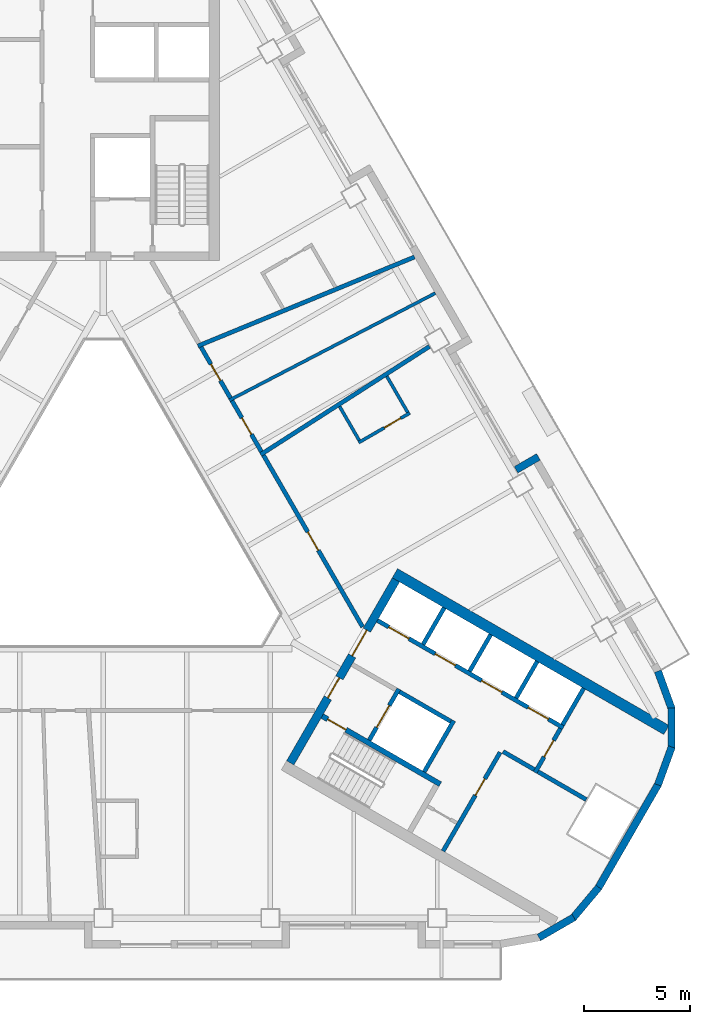
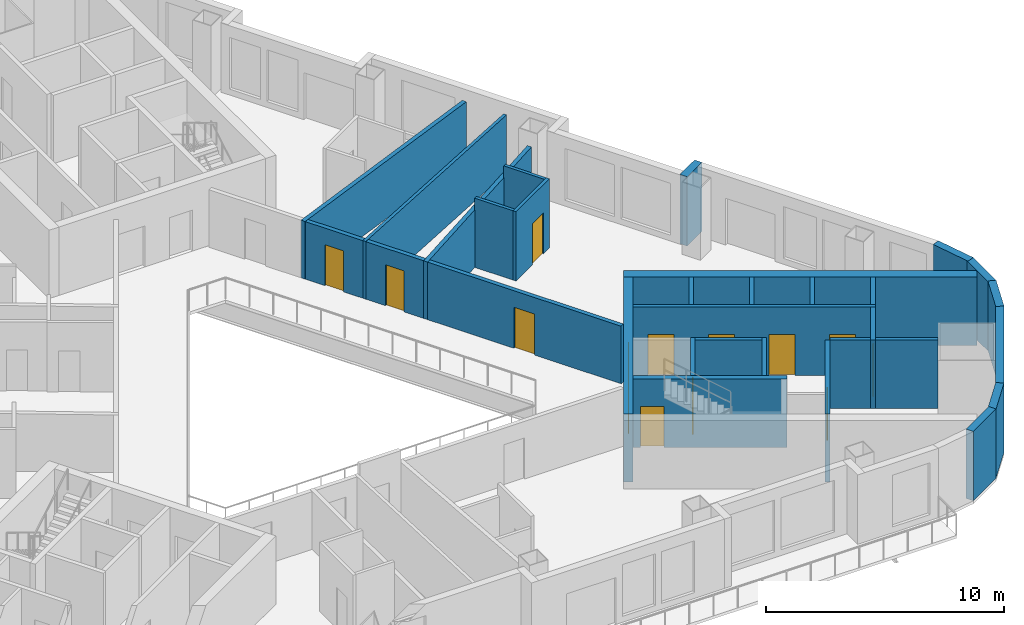
# One storey, part 5 of 13: 31 walls, 14 doors, 14 openings.
"""IFC4 building model written with IfcOpenShell, lengths in metres."""

from ifc_helpers import new_model, si_unit, direction, frame, frame_2d, origin, place, context, subcontext, project, spatial, rectangle, extrude, material, layer, layer_set, type_object, element, fill, save


model = new_model("IFC4")

# Units and contexts
model_context = context("Model", 3, precision=1e-05, world=origin(), true_north=direction((0.0, 1.0)))
body_context = subcontext(model_context, "Body", "Model", "MODEL_VIEW")
ifc_project = project(units=[si_unit("LENGTHUNIT", "METRE"), si_unit("AREAUNIT", "SQUARE_METRE"), si_unit("VOLUMEUNIT", "CUBIC_METRE"), si_unit("PLANEANGLEUNIT", "RADIAN"), si_unit("MASSUNIT", "GRAM", prefix="KILO")], contexts=[model_context])

# Site, building, storey
site_placement = place(None, origin())
site = spatial("IfcSite", under=ifc_project, at=site_placement, CompositionType="ELEMENT")
building_placement = place(site_placement, origin())
building = spatial("IfcBuilding", under=site, at=building_placement, Name="Apuvela Tower Hotel", CompositionType="ELEMENT")
storey_placement = place(building_placement, frame((0.0, 0.0, 102.0)))
storey = spatial("IfcBuildingStorey", under=building, at=storey_placement, Name="L23", CompositionType="ELEMENT", Elevation=102.0)

# Wall, openings, doors
ifc_material_1 = material(Name="Concrete C50/60", Category="concrete")
ifc_layer_1 = layer(ifc_material_1, 0.39990234375)
ifc_layer_set_1 = layer_set([ifc_layer_1], Name="COR-WALL-CORE-400")
wall_type_1 = type_object("IfcWallType", Name="COR-WALL-CORE-400", PredefinedType="SHEAR", material=ifc_layer_set_1)
wall_1_placement = place(storey_placement, frame((8.844970703125, -10.880126953125, 0.0), z_axis=(0.0, 0.0, 1.0), x_axis=(0.500004234368, 0.866022959057, 0.0)))
wall_1 = element("IfcWall", 1, at=wall_1_placement, inside=storey, type_object=wall_type_1, Name="Core wall SE", PredefinedType="SHEAR", context=body_context, shape_type="SweptSolid", body=[
    extrude(rectangle(XDim=10.0, YDim=0.39990234375, at=frame_2d((5.0, 0.0))), origin(), (0.0, 0.0, 1.0), 3.5),
])
opening_1_placement = place(wall_1_placement, frame((3.550048828125, 0.0, 0.0)))
opening_1 = element("IfcOpeningElement", 2, at=opening_1_placement, cuts=wall_1, Name="Opening E-FD", PredefinedType="OPENING", context=body_context, shape_type="SweptSolid", body=[
    extrude(rectangle(XDim=1.10009765625, YDim=2.10009765625, at=frame_2d((0.550048828125, 1.050048828125))), frame((0.0, 0.2099609375, 0.0), z_axis=(0.0, -1.0, 0.0), x_axis=(1.0, 0.0, 0.0)), (0.0, 0.0, 1.0), 0.419921875),
])
opening_2_placement = place(wall_1_placement, frame((5.85009765625, 0.0, 0.0)))
opening_2 = element("IfcOpeningElement", 3, at=opening_2_placement, cuts=wall_1, Name="Opening E-GD", PredefinedType="OPENING", context=body_context, shape_type="SweptSolid", body=[
    extrude(rectangle(XDim=1.39990234375, YDim=2.10009765625, at=frame_2d((0.699951171875, 1.050048828125))), frame((0.0, 0.2099609375, 0.0), z_axis=(0.0, -1.0, 0.0), x_axis=(1.0, 0.0, 0.0)), (0.0, 0.0, 1.0), 0.419921875),
])
ifc_material_2 = material(Name="Steel fire door, powder coated", Category="steel")
door_type_1 = type_object("IfcDoorType", Name="COR-FD-1100", OperationType="NOTDEFINED", PredefinedType="DOOR", material=ifc_material_2)
door_1_placement = place(opening_1_placement, frame((1.10009765625, 0.0, 0.0), z_axis=(0.0, 0.0, 1.0), x_axis=(-1.0, 0.0, 0.0)))
door_1 = element("IfcDoor", 4, at=door_1_placement, inside=storey, type_object=door_type_1, Name="Firefighting lobby door E-FD", OperationType="SINGLE_SWING_LEFT", OverallHeight=2.10009765625, OverallWidth=1.10009765625, PredefinedType="DOOR", context=body_context, shape_type="SweptSolid", body=[
    extrude(rectangle(XDim=1.10009765625, YDim=2.10009765625, at=frame_2d((0.550048828125, 1.050048828125))), frame((0.0, 0.02490234375, 0.0), z_axis=(0.0, -1.0, 0.0), x_axis=(1.0, 0.0, 0.0)), (0.0, 0.0, 1.0), 0.050048828125),
])
fill(opening_1, door_1)
ifc_material_3 = material(Name="Glazed steel fire door", Category="steel")
door_type_2 = type_object("IfcDoorType", Name="COR-GD-1400", OperationType="DOUBLE_DOOR_SINGLE_SWING", PredefinedType="DOOR", material=ifc_material_3)
door_2_placement = place(opening_2_placement, frame((1.39990234375, 0.0, 0.0), z_axis=(0.0, 0.0, 1.0), x_axis=(-1.0, 0.0, 0.0)))
door_2 = element("IfcDoor", 5, at=door_2_placement, inside=storey, type_object=door_type_2, Name="Lift lobby door E-GD", OperationType="DOUBLE_DOOR_SINGLE_SWING", OverallHeight=2.10009765625, OverallWidth=1.39990234375, PredefinedType="DOOR", context=body_context, shape_type="SweptSolid", body=[
    extrude(rectangle(XDim=1.39990234375, YDim=2.10009765625, at=frame_2d((0.699951171875, 1.050048828125))), frame((0.0, 0.02490234375, 0.0), z_axis=(0.0, -1.0, 0.0), x_axis=(1.0, 0.0, 0.0)), (0.0, 0.0, 1.0), 0.050048828125),
])
fill(opening_2, door_2)

# Wall
ifc_layer_2 = layer(ifc_material_1, 0.5)
ifc_layer_set_2 = layer_set([ifc_layer_2], Name="COR-WALL-CORE-500")
wall_type_2 = type_object("IfcWallType", Name="COR-WALL-CORE-500", PredefinedType="SHEAR", material=ifc_layer_set_2)
wall_2_placement = place(storey_placement, frame((13.796630859375, -1.9033203125, 0.0), z_axis=(0.0, 0.0, 1.0), x_axis=(0.866025009528, -0.500000682871, 0.0)))
element("IfcWall", 6, at=wall_2_placement, inside=storey, type_object=wall_type_2, Name="Core wall SE", PredefinedType="SHEAR", context=body_context, shape_type="SweptSolid", body=[
    extrude(rectangle(XDim=14.8369140625, YDim=0.5, at=frame_2d((7.41845703125, 0.0))), origin(), (0.0, 0.0, 1.0), 3.5),
])

# Wall, opening, door
ifc_material_4 = material(Name="Blockwork 200 mm plastered", Category="masonry")
ifc_layer_3 = layer(ifc_material_4, 0.199951171875)
ifc_layer_set_3 = layer_set([ifc_layer_3], Name="COR-WALL-PART-200")
wall_type_3 = type_object("IfcWallType", Name="COR-WALL-PART-200", PredefinedType="PARTITIONING", material=ifc_layer_set_3)
wall_3_placement = place(storey_placement, frame((16.076171875, -15.05517578125, 0.0), z_axis=(0.0, 0.0, 1.0), x_axis=(0.499995103361, 0.866028230842, 0.0)))
wall_3 = element("IfcWall", 7, at=wall_3_placement, inside=storey, type_object=wall_type_3, Name="Partition SE", PredefinedType="PARTITIONING", context=body_context, shape_type="SweptSolid", body=[
    extrude(rectangle(XDim=5.39990234375, YDim=0.199951171875, at=frame_2d((2.699951171875, 0.0))), origin(), (0.0, 0.0, 1.0), 3.5),
])
opening_3_placement = place(wall_3_placement, frame((3.050048828125, 0.0, 0.0)))
opening_3 = element("IfcOpeningElement", 8, at=opening_3_placement, cuts=wall_3, Name="Opening E-RS1", PredefinedType="OPENING", context=body_context, shape_type="SweptSolid", body=[
    extrude(rectangle(XDim=0.89990234375, YDim=2.10009765625, at=frame_2d((0.449951171875, 1.050048828125))), frame((0.0, 0.10986328125, 0.0), z_axis=(0.0, -1.0, 0.0), x_axis=(1.0, 0.0, 0.0)), (0.0, 0.0, 1.0), 0.219970703125),
])
door_type_3 = type_object("IfcDoorType", Name="COR-DR-900", OperationType="NOTDEFINED", PredefinedType="DOOR", material=ifc_material_2)
door_3_placement = place(opening_3_placement, frame((0.89990234375, 0.0, 0.0), z_axis=(0.0, 0.0, 1.0), x_axis=(-1.0, 0.0, 0.0)))
door_3 = element("IfcDoor", 9, at=door_3_placement, inside=storey, type_object=door_type_3, Name="Store door E-RS1", OperationType="SINGLE_SWING_LEFT", OverallHeight=2.10009765625, OverallWidth=0.89990234375, PredefinedType="DOOR", context=body_context, shape_type="SweptSolid", body=[
    extrude(rectangle(XDim=0.89990234375, YDim=2.10009765625, at=frame_2d((0.449951171875, 1.050048828125))), frame((0.0, 0.02490234375, 0.0), z_axis=(0.0, -1.0, 0.0), x_axis=(1.0, 0.0, 0.0)), (0.0, 0.0, 1.0), 0.050048828125),
])
fill(opening_3, door_3)

# Wall
ifc_layer_4 = layer(ifc_material_1, 0.199951171875)
ifc_layer_set_4 = layer_set([ifc_layer_4], Name="COR-WALL-SHAFT-200")
wall_type_4 = type_object("IfcWallType", Name="COR-WALL-SHAFT-200", PredefinedType="SHEAR", material=ifc_layer_set_4)
wall_4_placement = place(storey_placement, frame((15.181396484375, -11.305419921875, 0.0), z_axis=(0.0, 0.0, 1.0), x_axis=(0.49994636267, 0.866056369097, 0.0)))
element("IfcWall", 10, at=wall_4_placement, inside=storey, type_object=wall_type_4, Name="Shaft wall SE", PredefinedType="SHEAR", context=body_context, shape_type="SweptSolid", body=[
    extrude(rectangle(XDim=2.800048828125, YDim=0.199951171875, at=frame_2d((1.39990234375, 0.0))), origin(), (0.0, 0.0, 1.0), 3.5),
])

# Wall, opening, door
wall_5_placement = place(storey_placement, frame((12.583251953125, -9.805419921875, 0.0), z_axis=(0.0, 0.0, 1.0), x_axis=(0.49994636267, 0.866056369097, 0.0)))
wall_5 = element("IfcWall", 11, at=wall_5_placement, inside=storey, type_object=wall_type_4, Name="Shaft wall SE", PredefinedType="SHEAR", context=body_context, shape_type="SweptSolid", body=[
    extrude(rectangle(XDim=2.800048828125, YDim=0.199951171875, at=frame_2d((1.39990234375, 0.0))), origin(), (0.0, 0.0, 1.0), 3.5),
])
opening_4_placement = place(wall_5_placement, frame((0.699951171875, 0.0, 0.0)))
opening_4 = element("IfcOpeningElement", 12, at=opening_4_placement, cuts=wall_5, Name="Opening E-LD-FS3", PredefinedType="OPENING", context=body_context, shape_type="SweptSolid", body=[
    extrude(rectangle(XDim=1.199951171875, YDim=2.10009765625, at=frame_2d((0.60009765625, 1.050048828125))), frame((0.0, 0.10986328125, 0.0), z_axis=(0.0, -1.0, 0.0), x_axis=(1.0, 0.0, 0.0)), (0.0, 0.0, 1.0), 0.219970703125),
])
ifc_material_5 = material(Name="Stainless steel lift landing door", Category="steel")
door_type_4 = type_object("IfcDoorType", Name="COR-LD-1200", OperationType="DOUBLE_DOOR_SLIDING", PredefinedType="DOOR", material=ifc_material_5)
door_4_placement = place(opening_4_placement, origin())
door_4 = element("IfcDoor", 13, at=door_4_placement, inside=storey, type_object=door_type_4, Name="Lift landing door E-LD-FS3", OperationType="DOUBLE_DOOR_SLIDING", OverallHeight=2.10009765625, OverallWidth=1.199951171875, PredefinedType="DOOR", context=body_context, shape_type="SweptSolid", body=[
    extrude(rectangle(XDim=1.199951171875, YDim=2.10009765625, at=frame_2d((0.60009765625, 1.050048828125))), frame((0.0, 0.02490234375, 0.0), z_axis=(0.0, -1.0, 0.0), x_axis=(1.0, 0.0, 0.0)), (0.0, 0.0, 1.0), 0.050048828125),
])
fill(opening_4, door_4)

# Wall
wall_6_placement = place(storey_placement, frame((14.019775390625, -7.51708984375, 0.0), z_axis=(0.0, 0.0, 1.0), x_axis=(0.866034573852, -0.49998411664, 0.0)))
element("IfcWall", 14, at=wall_6_placement, inside=storey, type_object=wall_type_4, Name="Shaft wall SE", PredefinedType="SHEAR", context=body_context, shape_type="SweptSolid", body=[
    extrude(rectangle(XDim=2.7998046875, YDim=0.199951171875, at=frame_2d((1.39990234375, 0.0))), origin(), (0.0, 0.0, 1.0), 3.5),
])

# Wall, openings, doors
wall_7_placement = place(storey_placement, frame((12.968017578125, -4.138427734375, 0.0), z_axis=(0.0, 0.0, 1.0), x_axis=(0.866028328073, -0.49999493495, 0.0)))
wall_7 = element("IfcWall", 15, at=wall_7_placement, inside=storey, type_object=wall_type_4, Name="Shaft wall SE", PredefinedType="SHEAR", context=body_context, shape_type="SweptSolid", body=[
    extrude(rectangle(XDim=10.16015625, YDim=0.199951171875, at=frame_2d((5.080078125, 0.0))), origin(), (0.0, 0.0, 1.0), 3.5),
])
opening_5_placement = place(wall_7_placement, frame((0.6201171875, 0.0, 0.0)))
opening_5 = element("IfcOpeningElement", 16, at=opening_5_placement, cuts=wall_7, Name="Opening E-LD-LR1", PredefinedType="OPENING", context=body_context, shape_type="SweptSolid", body=[
    extrude(rectangle(XDim=1.10009765625, YDim=2.10009765625, at=frame_2d((0.550048828125, 1.050048828125))), frame((0.0, 0.10986328125, 0.0), z_axis=(0.0, -1.0, 0.0), x_axis=(1.0, 0.0, 0.0)), (0.0, 0.0, 1.0), 0.219970703125),
])
opening_6_placement = place(wall_7_placement, frame((3.159912109375, 0.0, 0.0)))
opening_6 = element("IfcOpeningElement", 17, at=opening_6_placement, cuts=wall_7, Name="Opening E-LD-LR2", PredefinedType="OPENING", context=body_context, shape_type="SweptSolid", body=[
    extrude(rectangle(XDim=1.10009765625, YDim=2.10009765625, at=frame_2d((0.550048828125, 1.050048828125))), frame((0.0, 0.10986328125, 0.0), z_axis=(0.0, -1.0, 0.0), x_axis=(1.0, 0.0, 0.0)), (0.0, 0.0, 1.0), 0.219970703125),
])
opening_7_placement = place(wall_7_placement, frame((5.699951171875, 0.0, 0.0)))
opening_7 = element("IfcOpeningElement", 18, at=opening_7_placement, cuts=wall_7, Name="Opening E-LD-LR3", PredefinedType="OPENING", context=body_context, shape_type="SweptSolid", body=[
    extrude(rectangle(XDim=1.10009765625, YDim=2.10009765625, at=frame_2d((0.550048828125, 1.050048828125))), frame((0.0, 0.10986328125, 0.0), z_axis=(0.0, -1.0, 0.0), x_axis=(1.0, 0.0, 0.0)), (0.0, 0.0, 1.0), 0.219970703125),
])
opening_8_placement = place(wall_7_placement, frame((8.239990234375, 0.0, 0.0)))
opening_8 = element("IfcOpeningElement", 19, at=opening_8_placement, cuts=wall_7, Name="Opening E-LD-LR4", PredefinedType="OPENING", context=body_context, shape_type="SweptSolid", body=[
    extrude(rectangle(XDim=1.10009765625, YDim=2.10009765625, at=frame_2d((0.550048828125, 1.050048828125))), frame((0.0, 0.10986328125, 0.0), z_axis=(0.0, -1.0, 0.0), x_axis=(1.0, 0.0, 0.0)), (0.0, 0.0, 1.0), 0.219970703125),
])
door_type_5 = type_object("IfcDoorType", Name="COR-LD-1100", OperationType="DOUBLE_DOOR_SLIDING", PredefinedType="DOOR", material=ifc_material_5)
door_5_placement = place(opening_5_placement, origin())
door_5 = element("IfcDoor", 20, at=door_5_placement, inside=storey, type_object=door_type_5, Name="Lift landing door E-LD-LR1", OperationType="DOUBLE_DOOR_SLIDING", OverallHeight=2.10009765625, OverallWidth=1.10009765625, PredefinedType="DOOR", context=body_context, shape_type="SweptSolid", body=[
    extrude(rectangle(XDim=1.10009765625, YDim=2.10009765625, at=frame_2d((0.550048828125, 1.050048828125))), frame((0.0, 0.02490234375, 0.0), z_axis=(0.0, -1.0, 0.0), x_axis=(1.0, 0.0, 0.0)), (0.0, 0.0, 1.0), 0.050048828125),
])
fill(opening_5, door_5)
door_6_placement = place(opening_6_placement, origin())
door_6 = element("IfcDoor", 21, at=door_6_placement, inside=storey, type_object=door_type_5, Name="Lift landing door E-LD-LR2", OperationType="DOUBLE_DOOR_SLIDING", OverallHeight=2.10009765625, OverallWidth=1.10009765625, PredefinedType="DOOR", context=body_context, shape_type="SweptSolid", body=[
    extrude(rectangle(XDim=1.10009765625, YDim=2.10009765625, at=frame_2d((0.550048828125, 1.050048828125))), frame((0.0, 0.02490234375, 0.0), z_axis=(0.0, -1.0, 0.0), x_axis=(1.0, 0.0, 0.0)), (0.0, 0.0, 1.0), 0.050048828125),
])
fill(opening_6, door_6)
door_7_placement = place(opening_7_placement, origin())
door_7 = element("IfcDoor", 22, at=door_7_placement, inside=storey, type_object=door_type_5, Name="Lift landing door E-LD-LR3", OperationType="DOUBLE_DOOR_SLIDING", OverallHeight=2.10009765625, OverallWidth=1.10009765625, PredefinedType="DOOR", context=body_context, shape_type="SweptSolid", body=[
    extrude(rectangle(XDim=1.10009765625, YDim=2.10009765625, at=frame_2d((0.550048828125, 1.050048828125))), frame((0.0, 0.02490234375, 0.0), z_axis=(0.0, -1.0, 0.0), x_axis=(1.0, 0.0, 0.0)), (0.0, 0.0, 1.0), 0.050048828125),
])
fill(opening_7, door_7)
door_8_placement = place(opening_8_placement, origin())
door_8 = element("IfcDoor", 23, at=door_8_placement, inside=storey, type_object=door_type_5, Name="Lift landing door E-LD-LR4", OperationType="DOUBLE_DOOR_SLIDING", OverallHeight=2.10009765625, OverallWidth=1.10009765625, PredefinedType="DOOR", context=body_context, shape_type="SweptSolid", body=[
    extrude(rectangle(XDim=1.10009765625, YDim=2.10009765625, at=frame_2d((0.550048828125, 1.050048828125))), frame((0.0, 0.02490234375, 0.0), z_axis=(0.0, -1.0, 0.0), x_axis=(1.0, 0.0, 0.0)), (0.0, 0.0, 1.0), 0.050048828125),
])
fill(opening_8, door_8)

# Wall, opening, door
wall_8_placement = place(storey_placement, frame((20.430419921875, -11.33349609375, 0.0), z_axis=(0.0, 0.0, 1.0), x_axis=(0.500001309137, 0.866024647952, 0.0)))
wall_8 = element("IfcWall", 24, at=wall_8_placement, inside=storey, type_object=wall_type_4, Name="Shaft wall SE", PredefinedType="SHEAR", context=body_context, shape_type="SweptSolid", body=[
    extrude(rectangle(XDim=2.39990234375, YDim=0.199951171875, at=frame_2d((1.199951171875, 0.0))), origin(), (0.0, 0.0, 1.0), 3.5),
])
opening_9_placement = place(wall_8_placement, frame((0.85009765625, 0.0, 0.0)))
opening_9 = element("IfcOpeningElement", 25, at=opening_9_placement, cuts=wall_8, Name="Opening E-REP", PredefinedType="OPENING", context=body_context, shape_type="SweptSolid", body=[
    extrude(rectangle(XDim=0.89990234375, YDim=2.10009765625, at=frame_2d((0.449951171875, 1.050048828125))), frame((0.0, 0.10986328125, 0.0), z_axis=(0.0, -1.0, 0.0), x_axis=(1.0, 0.0, 0.0)), (0.0, 0.0, 1.0), 0.219970703125),
])
door_9_placement = place(opening_9_placement, frame((0.89990234375, 0.0, 0.0), z_axis=(0.0, 0.0, 1.0), x_axis=(-1.0, 0.0, 0.0)))
door_9 = element("IfcDoor", 26, at=door_9_placement, inside=storey, type_object=door_type_3, Name="Store door E-REP", OperationType="SINGLE_SWING_RIGHT", OverallHeight=2.10009765625, OverallWidth=0.89990234375, PredefinedType="DOOR", context=body_context, shape_type="SweptSolid", body=[
    extrude(rectangle(XDim=0.89990234375, YDim=2.10009765625, at=frame_2d((0.449951171875, 1.050048828125))), frame((0.0, 0.02490234375, 0.0), z_axis=(0.0, -1.0, 0.0), x_axis=(1.0, 0.0, 0.0)), (0.0, 0.0, 1.0), 0.050048828125),
])
fill(opening_9, door_9)

# Walls
wall_9_placement = place(storey_placement, frame((18.912841796875, -10.342041015625, 0.0), z_axis=(0.0, 0.0, 1.0), x_axis=(0.866038183914, -0.499977863513, 0.0)))
element("IfcWall", 27, at=wall_9_placement, inside=storey, type_object=wall_type_4, Name="Shaft wall SE", PredefinedType="SHEAR", context=body_context, shape_type="SweptSolid", body=[
    extrude(rectangle(XDim=1.7099609375, YDim=0.199951171875, at=frame_2d((0.85498046875, 0.0))), origin(), (0.0, 0.0, 1.0), 3.5),
])
for number, where, z_axis, x_axis, name in (
    (28, (15.131103515625, -5.27197265625, 0.0), (0.0, 0.0, 1.0), (0.499972520799, 0.866041268327, 0.0), "Shaft wall SE"),
    (29, (17.330810546875, -6.5419921875, 0.0), (0.0, 0.0, 1.0), (0.499972520799, 0.866041268327, 0.0), "Shaft wall SE"),
    (30, (19.530517578125, -7.81201171875, 0.0), (0.0, 0.0, 1.0), (0.499972520799, 0.866041268327, 0.0), "Shaft wall SE"),
    (31, (21.73046875, -9.081787109375, 0.0), (0.0, 0.0, 1.0), (0.50002537861, 0.866010750942, 0.0), "Shaft wall SE"),
):
    element("IfcWall", number, at=place(storey_placement, frame(where, z_axis=z_axis, x_axis=x_axis)), inside=storey, type_object=wall_type_4, Name=name, PredefinedType="SHEAR", context=body_context, shape_type="SweptSolid", body=[
        extrude(rectangle(XDim=2.0, YDim=0.199951171875, at=frame_2d((1.0, 0.0))), origin(), (0.0, 0.0, 1.0), 3.5),
    ])
wall_10_placement = place(storey_placement, frame((20.56689453125, -11.297119140625, 0.0), z_axis=(0.0, 0.0, 1.0), x_axis=(0.866060851709, -0.499938597367, 0.0)))
element("IfcWall", 32, at=wall_10_placement, inside=storey, type_object=wall_type_4, Name="Shaft wall SE", PredefinedType="SHEAR", context=body_context, shape_type="SweptSolid", body=[
    extrude(rectangle(XDim=2.639892578125, YDim=0.199951171875, at=frame_2d((1.31982421875, 0.0))), origin(), (0.0, 0.0, 1.0), 3.5),
])

# Wall, opening, door
ifc_layer_5 = layer(ifc_material_1, 0.25)
ifc_layer_set_5 = layer_set([ifc_layer_5], Name="COR-WALL-STAIR-250")
wall_type_5 = type_object("IfcWallType", Name="COR-WALL-STAIR-250", PredefinedType="SHEAR", material=ifc_layer_set_5)
wall_11_placement = place(storey_placement, frame((10.355712890625, -8.66357421875, 0.0), z_axis=(0.0, 0.0, 1.0), x_axis=(0.866028629588, -0.499994412703, 0.0)))
wall_11 = element("IfcWall", 33, at=wall_11_placement, inside=storey, type_object=wall_type_5, Name="Stair wall SE", PredefinedType="SHEAR", context=body_context, shape_type="SweptSolid", body=[
    extrude(rectangle(XDim=6.44970703125, YDim=0.25, at=frame_2d((3.224853515625, 0.0))), origin(), (0.0, 0.0, 1.0), 3.5),
])
opening_10_placement = place(wall_11_placement, frame((0.300048828125, 0.0, 0.0)))
opening_10 = element("IfcOpeningElement", 34, at=opening_10_placement, cuts=wall_11, Name="Opening E-SD", PredefinedType="OPENING", context=body_context, shape_type="SweptSolid", body=[
    extrude(rectangle(XDim=1.0, YDim=2.10009765625, at=frame_2d((0.5, 1.050048828125))), frame((0.0, 0.135009765625, 0.0), z_axis=(0.0, -1.0, 0.0), x_axis=(1.0, 0.0, 0.0)), (0.0, 0.0, 1.0), 0.27001953125),
])
door_type_6 = type_object("IfcDoorType", Name="COR-SD-1000", OperationType="NOTDEFINED", PredefinedType="DOOR", material=ifc_material_2)
door_10_placement = place(opening_10_placement, frame((1.0, 0.0, 0.0), z_axis=(0.0, 0.0, 1.0), x_axis=(-1.0, 0.0, 0.0)))
door_10 = element("IfcDoor", 35, at=door_10_placement, inside=storey, type_object=door_type_6, Name="Stair door E-SD", OperationType="SINGLE_SWING_LEFT", OverallHeight=2.10009765625, OverallWidth=1.0, PredefinedType="DOOR", context=body_context, shape_type="SweptSolid", body=[
    extrude(rectangle(XDim=1.0, YDim=2.10009765625, at=frame_2d((0.5, 1.050048828125))), frame((0.0, 0.02490234375, 0.0), z_axis=(0.0, -1.0, 0.0), x_axis=(1.0, 0.0, 0.0)), (0.0, 0.0, 1.0), 0.050048828125),
])
fill(opening_10, door_10)

# Walls
ifc_material_6 = material(Name="Concrete C40/50, dark pigmented precast panel", Category="concrete")
ifc_layer_6 = layer(ifc_material_6, 0.35009765625)
ifc_layer_set_6 = layer_set([ifc_layer_6], Name="ENV-WALL-350")
wall_type_6 = type_object("IfcWallType", Name="ENV-WALL-350", PredefinedType="SOLIDWALL", material=ifc_layer_set_6)
for number, where, z_axis, x_axis, name in (
    (36, (20.609619140625, -19.146728515625, 0.0), (0.0, 0.0, 1.0), (0.866000389056, 0.500043324278, 0.0), "External wall L23-27"),
    (37, (22.21728515625, -18.230712890625, 0.0), (0.0, 0.0, 1.0), (0.642733291068, 0.76609001857, 0.0), "External wall L23-28"),
):
    element("IfcWall", number, at=place(storey_placement, frame(where, z_axis=z_axis, x_axis=x_axis)), inside=storey, type_object=wall_type_6, Name=name, PredefinedType="SOLIDWALL", context=body_context, shape_type="SweptSolid", body=[
        extrude(rectangle(XDim=1.909912109375, YDim=0.35009765625, at=frame_2d((0.955078125, 0.0))), origin(), (0.0, 0.0, 1.0), 3.550048828125),
    ])
wall_12_placement = place(storey_placement, frame((23.427490234375, -16.79248046875, 0.0), z_axis=(0.0, 0.0, 1.0), x_axis=(0.500018773155, 0.866014564827, 0.0)))
element("IfcWall", 38, at=wall_12_placement, inside=storey, type_object=wall_type_6, Name="External wall L23-29", PredefinedType="SOLIDWALL", context=body_context, shape_type="SweptSolid", body=[
    extrude(rectangle(XDim=5.657958984375, YDim=0.35009765625, at=frame_2d((2.8291015625, 0.0))), origin(), (0.0, 0.0, 1.0), 3.550048828125),
])
for number, where, z_axis, x_axis, name in (
    (39, (26.24365234375, -11.920166015625, 0.0), (0.0, 0.0, 1.0), (0.342030395486, 0.939688889242, 0.0), "External wall L23-30"),
    (40, (26.88623046875, -10.18505859375, 0.0), (0.0, 0.0, 1.0), (0.0, 1.0, 0.0), "External wall L23-31"),
    (41, (26.89697265625, -8.334716796875, 0.0), (0.0, 0.0, 1.0), (-0.342030395486, 0.939688889242, 0.0), "External wall L23-32"),
):
    element("IfcWall", number, at=place(storey_placement, frame(where, z_axis=z_axis, x_axis=x_axis)), inside=storey, type_object=wall_type_6, Name=name, PredefinedType="SOLIDWALL", context=body_context, shape_type="SweptSolid", body=[
        extrude(rectangle(XDim=1.91015625, YDim=0.35009765625, at=frame_2d((0.955078125, 0.0))), origin(), (0.0, 0.0, 1.0), 3.550048828125),
    ])
wall_13_placement = place(storey_placement, frame((20.587646484375, 3.601318359375, 0.0), z_axis=(0.0, 0.0, 1.0), x_axis=(-0.866005645448, -0.500034220881, 0.0)))
element("IfcWall", 42, at=wall_13_placement, inside=storey, type_object=wall_type_6, Name="External wall L23-34", PredefinedType="SOLIDWALL", context=body_context, shape_type="SweptSolid", body=[
    extrude(rectangle(XDim=1.22021484375, YDim=0.35009765625, at=frame_2d((0.610107421875, 0.0))), origin(), (0.0, 0.0, 1.0), 3.550048828125),
])
ifc_material_7 = material(Name="Gypsum board partition on twin steel stud", Category="steel")
ifc_layer_7 = layer(ifc_material_7, 0.199951171875)
ifc_layer_set_7 = layer_set([ifc_layer_7], Name="GST-PW1")
wall_type_7 = type_object("IfcWallType", Name="GST-PW1", PredefinedType="PARTITIONING", material=ifc_layer_set_7)
wall_14_placement = place(storey_placement, frame((15.4326171875, 8.82958984375, 0.0), z_axis=(0.0, 0.0, 1.0), x_axis=(-0.841935777146, -0.539577748949, 0.0)))
element("IfcWall", 43, at=wall_14_placement, inside=storey, type_object=wall_type_7, Name="L23 partition 03", PredefinedType="PARTITIONING", context=body_context, shape_type="SweptSolid", body=[
    extrude(rectangle(XDim=9.489990234375, YDim=0.199951171875, at=frame_2d((4.7451171875, 0.0))), origin(), (0.0, 0.0, 1.0), 2.949951171875),
])
wall_15_placement = place(storey_placement, frame((14.721923828125, 13.060791015625, 0.0), z_axis=(0.0, 0.0, 1.0), x_axis=(-0.9249494111, -0.380090235214, 0.0)))
element("IfcWall", 44, at=wall_15_placement, inside=storey, type_object=wall_type_7, Name="L23 partition 04", PredefinedType="PARTITIONING", context=body_context, shape_type="SweptSolid", body=[
    extrude(rectangle(XDim=11.078857421875, YDim=0.199951171875, at=frame_2d((5.53955078125, 0.0))), origin(), (0.0, 0.0, 1.0), 2.949951171875),
])

# Wall, opening, door
ifc_material_8 = material(Name="Gypsum board corridor wall on twin steel stud, acoustic", Category="steel")
ifc_layer_8 = layer(ifc_material_8, 0.199951171875)
ifc_layer_set_8 = layer_set([ifc_layer_8], Name="GST-PW2")
wall_type_8 = type_object("IfcWallType", Name="GST-PW2", PredefinedType="PARTITIONING", material=ifc_layer_set_8)
wall_16_placement = place(storey_placement, frame((7.576904296875, 3.67626953125, 0.0), z_axis=(0.0, 0.0, 1.0), x_axis=(0.500017489778, -0.866015305821, 0.0)))
wall_16 = element("IfcWall", 45, at=wall_16_placement, inside=storey, type_object=wall_type_8, Name="L23 partition 18", PredefinedType="PARTITIONING", context=body_context, shape_type="SweptSolid", body=[
    extrude(rectangle(XDim=9.383544921875, YDim=0.199951171875, at=frame_2d((4.69189453125, 0.0))), origin(), (0.0, 0.0, 1.0), 2.949951171875),
])
opening_11_placement = place(wall_16_placement, frame((4.191650390625, 0.0, 0.0)))
opening_11 = element("IfcOpeningElement", 46, at=opening_11_placement, cuts=wall_16, Name="Opening GD08-08", PredefinedType="OPENING", context=body_context, shape_type="SweptSolid", body=[
    extrude(rectangle(XDim=1.0, YDim=2.10009765625, at=frame_2d((0.5, 1.050048828125))), frame((0.0, 0.10986328125, 0.0), z_axis=(0.0, -1.0, 0.0), x_axis=(1.0, 0.0, 0.0)), (0.0, 0.0, 1.0), 0.219970703125),
])
ifc_material_9 = material(Name="Timber door leaf in steel frame", Category="steel")
door_type_7 = type_object("IfcDoorType", Name="GST-D1", OperationType="NOTDEFINED", PredefinedType="DOOR", material=ifc_material_9)
door_11_placement = place(opening_11_placement, origin())
door_11 = element("IfcDoor", 47, at=door_11_placement, inside=storey, type_object=door_type_7, Name="Door L23-08", OperationType="SINGLE_SWING_LEFT", OverallHeight=2.10009765625, OverallWidth=1.0, PredefinedType="DOOR", context=body_context, shape_type="SweptSolid", body=[
    extrude(rectangle(XDim=1.0, YDim=2.10009765625, at=frame_2d((0.5, 1.050048828125))), frame((0.0, 0.02490234375, 0.0), z_axis=(0.0, -1.0, 0.0), x_axis=(1.0, 0.0, 0.0)), (0.0, 0.0, 1.0), 0.050048828125),
])
fill(opening_11, door_11)

wall_17_placement = place(storey_placement, frame((6.0849609375, 6.260498046875, 0.0), z_axis=(0.0, 0.0, 1.0), x_axis=(0.499978037009, -0.866038083752, 0.0)))
wall_17 = element("IfcWall", 48, at=wall_17_placement, inside=storey, type_object=wall_type_8, Name="L23 partition 23", PredefinedType="PARTITIONING", context=body_context, shape_type="SweptSolid", body=[
    extrude(rectangle(XDim=2.783935546875, YDim=0.199951171875, at=frame_2d((1.39208984375, 0.0))), origin(), (0.0, 0.0, 1.0), 2.949951171875),
])
opening_12_placement = place(wall_17_placement, frame((0.94189453125, 0.0, 0.0)))
opening_12 = element("IfcOpeningElement", 49, at=opening_12_placement, cuts=wall_17, Name="Opening GD08-09", PredefinedType="OPENING", context=body_context, shape_type="SweptSolid", body=[
    extrude(rectangle(XDim=0.89990234375, YDim=2.10009765625, at=frame_2d((0.449951171875, 1.050048828125))), frame((0.0, 0.10986328125, 0.0), z_axis=(0.0, -1.0, 0.0), x_axis=(1.0, 0.0, 0.0)), (0.0, 0.0, 1.0), 0.219970703125),
])
door_type_8 = type_object("IfcDoorType", Name="GST-D2", OperationType="NOTDEFINED", PredefinedType="DOOR", material=ifc_material_9)
door_12_placement = place(opening_12_placement, origin())
door_12 = element("IfcDoor", 50, at=door_12_placement, inside=storey, type_object=door_type_8, Name="Door L23-09", OperationType="SINGLE_SWING_LEFT", OverallHeight=2.10009765625, OverallWidth=0.89990234375, PredefinedType="DOOR", context=body_context, shape_type="SweptSolid", body=[
    extrude(rectangle(XDim=0.89990234375, YDim=2.10009765625, at=frame_2d((0.449951171875, 1.050048828125))), frame((0.0, 0.02490234375, 0.0), z_axis=(0.0, -1.0, 0.0), x_axis=(1.0, 0.0, 0.0)), (0.0, 0.0, 1.0), 0.050048828125),
])
fill(opening_12, door_12)

wall_18_placement = place(storey_placement, frame((4.618408203125, 8.80078125, 0.0), z_axis=(0.0, 0.0, 1.0), x_axis=(0.499988210251, -0.866032210492, 0.0)))
wall_18 = element("IfcWall", 51, at=wall_18_placement, inside=storey, type_object=wall_type_8, Name="L23 partition 24", PredefinedType="PARTITIONING", context=body_context, shape_type="SweptSolid", body=[
    extrude(rectangle(XDim=2.783203125, YDim=0.199951171875, at=frame_2d((1.3916015625, 0.0))), origin(), (0.0, 0.0, 1.0), 2.949951171875),
])
opening_13_placement = place(wall_18_placement, frame((0.941650390625, 0.0, 0.0)))
opening_13 = element("IfcOpeningElement", 52, at=opening_13_placement, cuts=wall_18, Name="Opening GD08-10", PredefinedType="OPENING", context=body_context, shape_type="SweptSolid", body=[
    extrude(rectangle(XDim=0.89990234375, YDim=2.10009765625, at=frame_2d((0.449951171875, 1.050048828125))), frame((0.0, 0.10986328125, 0.0), z_axis=(0.0, -1.0, 0.0), x_axis=(1.0, 0.0, 0.0)), (0.0, 0.0, 1.0), 0.219970703125),
])
door_13_placement = place(opening_13_placement, origin())
door_13 = element("IfcDoor", 53, at=door_13_placement, inside=storey, type_object=door_type_8, Name="Door L23-10", OperationType="SINGLE_SWING_RIGHT", OverallHeight=2.10009765625, OverallWidth=0.89990234375, PredefinedType="DOOR", context=body_context, shape_type="SweptSolid", body=[
    extrude(rectangle(XDim=0.89990234375, YDim=2.10009765625, at=frame_2d((0.449951171875, 1.050048828125))), frame((0.0, 0.02490234375, 0.0), z_axis=(0.0, -1.0, 0.0), x_axis=(1.0, 0.0, 0.0)), (0.0, 0.0, 1.0), 0.050048828125),
])
fill(opening_13, door_13)

ifc_material_10 = material(Name="Moisture-resistant gypsum board wet wall on steel stud", Category="steel")
ifc_layer_9 = layer(ifc_material_10, 0.14990234375)
ifc_layer_set_9 = layer_set([ifc_layer_9], Name="GST-PW3")
wall_type_9 = type_object("IfcWallType", Name="GST-PW3", PredefinedType="PARTITIONING", material=ifc_layer_set_9)
wall_19_placement = place(storey_placement, frame((12.079345703125, 4.27783203125, 0.0), z_axis=(0.0, 0.0, 1.0), x_axis=(0.866018616679, 0.500011755427, 0.0)))
wall_19 = element("IfcWall", 54, at=wall_19_placement, inside=storey, type_object=wall_type_9, Name="L23 partition 19", PredefinedType="PARTITIONING", context=body_context, shape_type="SweptSolid", body=[
    extrude(rectangle(XDim=2.80029296875, YDim=0.14990234375, at=frame_2d((1.400146484375, 0.0))), origin(), (0.0, 0.0, 1.0), 3.550048828125),
])
opening_14_placement = place(wall_19_placement, frame((1.39990234375, 0.0, 0.0)))
opening_14 = element("IfcOpeningElement", 55, at=opening_14_placement, cuts=wall_19, Name="Opening GD08-07", PredefinedType="OPENING", context=body_context, shape_type="SweptSolid", body=[
    extrude(rectangle(XDim=0.89990234375, YDim=2.10009765625, at=frame_2d((0.449951171875, 1.050048828125))), frame((0.0, 0.0849609375, 0.0), z_axis=(0.0, -1.0, 0.0), x_axis=(1.0, 0.0, 0.0)), (0.0, 0.0, 1.0), 0.169921875),
])
door_14_placement = place(opening_14_placement, origin())
door_14 = element("IfcDoor", 56, at=door_14_placement, inside=storey, type_object=door_type_8, Name="Door L23-07", OperationType="SINGLE_SWING_RIGHT", OverallHeight=2.10009765625, OverallWidth=0.89990234375, PredefinedType="DOOR", context=body_context, shape_type="SweptSolid", body=[
    extrude(rectangle(XDim=0.89990234375, YDim=2.10009765625, at=frame_2d((0.449951171875, 1.050048828125))), frame((0.0, 0.02490234375, 0.0), z_axis=(0.0, -1.0, 0.0), x_axis=(1.0, 0.0, 0.0)), (0.0, 0.0, 1.0), 0.050048828125),
])
fill(opening_14, door_14)

# Walls
wall_20_placement = place(storey_placement, frame((14.40185546875, 5.705322265625, 0.0), z_axis=(0.0, 0.0, 1.0), x_axis=(-0.500018274647, 0.866014852655, 0.0)))
element("IfcWall", 57, at=wall_20_placement, inside=storey, type_object=wall_type_9, Name="L23 partition 20", PredefinedType="PARTITIONING", context=body_context, shape_type="SweptSolid", body=[
    extrude(rectangle(XDim=1.9765625, YDim=0.14990234375, at=frame_2d((0.98828125, 0.0))), origin(), (0.0, 0.0, 1.0), 3.550048828125),
])
wall_21_placement = place(storey_placement, frame((12.106689453125, 4.38037109375, 0.0), z_axis=(0.0, 0.0, 1.0), x_axis=(-0.499893495202, 0.866086885627, 0.0)))
element("IfcWall", 58, at=wall_21_placement, inside=storey, type_object=wall_type_9, Name="L23 partition 21", PredefinedType="PARTITIONING", context=body_context, shape_type="SweptSolid", body=[
    extrude(rectangle(XDim=1.853515625, YDim=0.14990234375, at=frame_2d((0.9267578125, 0.0))), origin(), (0.0, 0.0, 1.0), 3.550048828125),
])
wall_22_placement = place(storey_placement, frame((15.70947265625, 11.350341796875, 0.0), z_axis=(0.0, 0.0, 1.0), x_axis=(-0.887196797294, -0.461391203721, 0.0)))
element("IfcWall", 59, at=wall_22_placement, inside=storey, type_object=wall_type_9, Name="L23 partition 22", PredefinedType="PARTITIONING", context=body_context, shape_type="SweptSolid", body=[
    extrude(rectangle(XDim=10.99072265625, YDim=0.14990234375, at=frame_2d((5.495361328125, 0.0))), origin(), (0.0, 0.0, 1.0), 2.9599609375),
])

save(model, "model.ifc")
